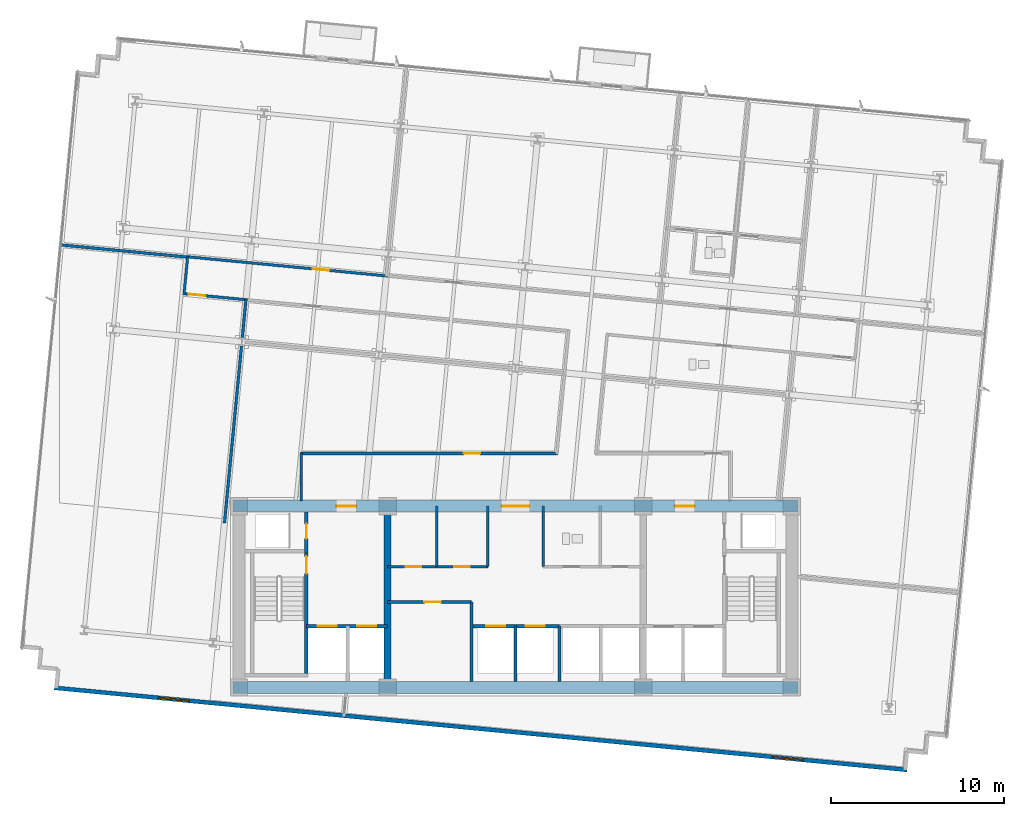
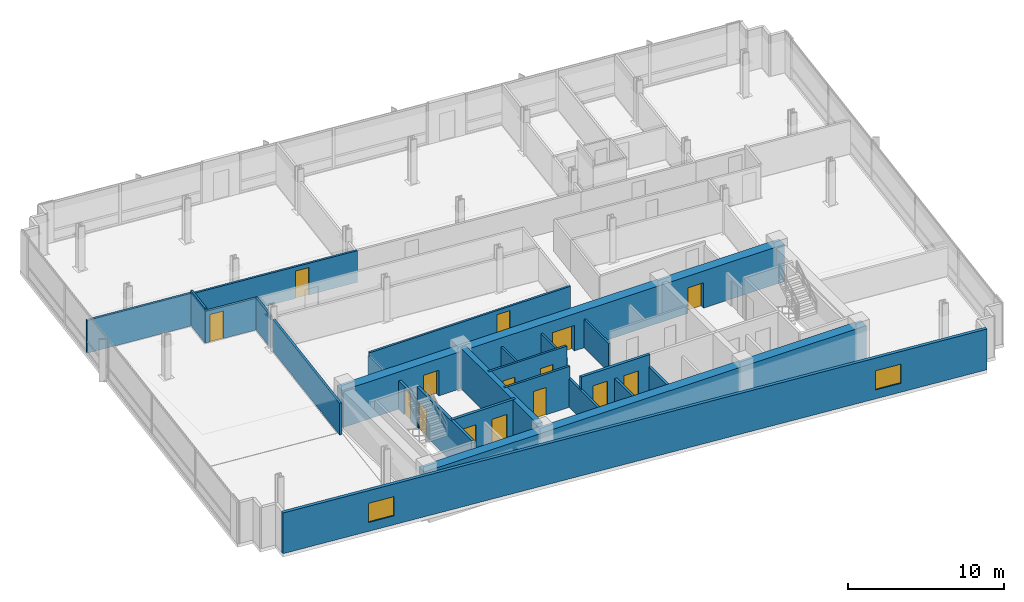
# One storey, part 10 of 16: 24 walls, 15 doors, 2 windows, 17 openings.
"""IFC4 building model written with IfcOpenShell, lengths in metres."""

import ifcopenshell
import ifcopenshell.guid

model = None  # the IFC model being written
_history = None  # IfcOwnerHistory: only IFC2X3 demands one
_inside = {}  # id of a spatial element -> (the spatial element, [elements in it])
_under = {}  # id of a project, library or spatial element -> (it, [spatial elements below it])
_declared = {}  # id of a project -> (the project, [libraries it declares])
_typed = {}  # id of a type object -> (the type object, [elements of that type])
_made_of = {}  # id of a material, layer set ... -> (it, [elements and type objects made of it])


def new_model(schema):
    """Start an empty IFC model of exactly this schema.

    Asked for "IFC4X3", IfcOpenShell would pick the latest addendum, in which some entities
    have other attributes; the version numbers below select the first issue.
    IFC2X3 requires an IfcOwnerHistory on every rooted entity: one is made here for all.
    """
    global model, _history
    if schema == "IFC4X3":
        model = ifcopenshell.file(schema_version=(4, 3, 0, 0))
    else:
        model = ifcopenshell.file(schema=schema)
    _inside.clear()
    _under.clear()
    _declared.clear()
    _typed.clear()
    _made_of.clear()
    _history = None
    if model.schema == "IFC2X3":
        org = make("IfcOrganization", Name="unknown")
        user = make(
            "IfcPersonAndOrganization",
            ThePerson=make("IfcPerson", FamilyName="unknown"),
            TheOrganization=org,
        )
        app = make(
            "IfcApplication",
            ApplicationDeveloper=org,
            Version="unknown",
            ApplicationFullName="unknown",
            ApplicationIdentifier="unknown",
        )
        _history = make(
            "IfcOwnerHistory",
            OwningUser=user,
            OwningApplication=app,
            ChangeAction="ADDED",
            CreationDate=0,
        )
    return model


def make(cls, **values):
    """One entity of the class cls with the attributes given. An attribute that is None is left unset."""
    return model.create_entity(
        cls, **{name: value for name, value in values.items() if value is not None}
    )


def rooted(cls, **values):
    """An entity with a GlobalId (a new one), such as an element, a storey or a relation."""
    return make(cls, GlobalId=ifcopenshell.guid.new(), OwnerHistory=_history, **values)


def si_unit(unit_type, name, prefix=None):
    """IfcSIUnit, for example si_unit("LENGTHUNIT", "METRE", prefix="MILLI")."""
    return make("IfcSIUnit", UnitType=unit_type, Prefix=prefix, Name=name)


def assignment(units):
    """IfcUnitAssignment: the units of a project."""
    return None if units is None else make("IfcUnitAssignment", Units=units)


def point(xyz):
    """IfcCartesianPoint."""
    return None if xyz is None else make("IfcCartesianPoint", Coordinates=xyz)


def direction(xyz):
    """IfcDirection."""
    return None if xyz is None else make("IfcDirection", DirectionRatios=xyz)


def frame(location, z_axis=None, x_axis=None):
    """IfcAxis2Placement3D, a coordinate frame: its origin and axes. An axis left out is left unset."""
    return make(
        "IfcAxis2Placement3D",
        Location=point(location),
        Axis=direction(z_axis),
        RefDirection=direction(x_axis),
    )


def frame_2d(location, x_axis=None):
    """IfcAxis2Placement2D, a coordinate frame in the plane: its origin and x axis."""
    return make(
        "IfcAxis2Placement2D", Location=point(location), RefDirection=direction(x_axis)
    )


def origin():
    """The frame at (0, 0, 0) with its axes left unset."""
    return frame((0.0, 0.0, 0.0))


def place(relative_to, where):
    """IfcLocalPlacement: puts the frame where relative to a parent placement (None: the world)."""
    return make(
        "IfcLocalPlacement", PlacementRelTo=relative_to, RelativePlacement=where
    )


def context(
    kind, dimensions, precision=None, world=None, true_north=None, identifier=None
):
    """IfcGeometricRepresentationContext, for example the 3D "Model" context."""
    return make(
        "IfcGeometricRepresentationContext",
        ContextIdentifier=identifier,
        ContextType=kind,
        CoordinateSpaceDimension=dimensions,
        Precision=precision,
        WorldCoordinateSystem=world,
        TrueNorth=true_north,
    )


def subcontext(parent, identifier, kind, view, scale=None):
    """IfcGeometricRepresentationSubContext, for example "Body" below "Model"."""
    return make(
        "IfcGeometricRepresentationSubContext",
        ContextIdentifier=identifier,
        ContextType=kind,
        ParentContext=parent,
        TargetScale=scale,
        TargetView=view,
    )


def project(units=None, contexts=None):
    """IfcProject with its units and contexts."""
    return rooted(
        "IfcProject",
        Name="project",
        RepresentationContexts=contexts,
        UnitsInContext=assignment(units),
    )


def spatial(cls, under=None, at=None, **own):
    """A site, building, storey or space (cls), placed at a placement, below another one or the project."""
    s = rooted(cls, ObjectPlacement=at, **own)
    if under is not None:
        _under.setdefault(under.id(), (under, []))[1].append(s)
    return s


def profile(cls, at=None, kind="AREA", **sizes):
    """A parametric profile (cls). Its sizes go by their IFC names, for example OverallWidth=200.0."""
    return make(cls, ProfileType=kind, Position=at, **sizes)


def rectangle(**sizes):
    """IfcRectangleProfileDef."""
    return profile("IfcRectangleProfileDef", **sizes)


def extrude(swept, where, along, depth):
    """IfcExtrudedAreaSolid: the profile swept, set in the frame where, extruded along a direction by depth."""
    return make(
        "IfcExtrudedAreaSolid",
        SweptArea=swept,
        Position=where,
        ExtrudedDirection=direction(along),
        Depth=depth,
    )


def shape(context_of_items, identifier, shape_type, items):
    """IfcShapeRepresentation: the items that make up one representation, for example the "Body"."""
    return make(
        "IfcShapeRepresentation",
        ContextOfItems=context_of_items,
        RepresentationIdentifier=identifier,
        RepresentationType=shape_type,
        Items=items,
    )


def material(Name=None, Category=None):
    """IfcMaterial."""
    return make("IfcMaterial", Name=Name, Category=Category)


def layer(
    of_material, thickness, ventilated=None, Name=None, Category=None, Priority=None
):
    """IfcMaterialLayer: one layer of a wall or slab, of a material (None: an air gap)."""
    return make(
        "IfcMaterialLayer",
        Material=of_material,
        LayerThickness=thickness,
        IsVentilated=ventilated,
        Name=Name,
        Category=Category,
        Priority=Priority,
    )


def layer_set(layers, Name=None):
    """IfcMaterialLayerSet."""
    return make("IfcMaterialLayerSet", MaterialLayers=layers, LayerSetName=Name)


def made_of(thing, what):
    """Note that an element or type object is made of a material, layer set ...; save() writes the relation."""
    if what is not None:
        _made_of.setdefault(what.id(), (what, []))[1].append(thing)
    return thing


def type_object(cls, material=None, **own):
    """A type object (cls), such as IfcWallType, which elements share."""
    return made_of(rooted(cls, **own), material)


def element(
    cls,
    number,
    at=None,
    inside=None,
    cuts=None,
    type_object=None,
    material=None,
    context=None,
    identifier="Body",
    shape_type=None,
    held_by="IfcProductDefinitionShape",
    body=None,
    shapes=None,
    **own,
):
    """One element of the class cls, such as IfcWall. Its Tag is "e" and its number.

    at: its placement. inside: the storey or other place that contains it. cuts: it is an
    opening in that element (IfcRelVoidsElement). A single representation is given by context,
    identifier, shape_type and body (its items); several are given by shapes. held_by: the class
    of the entity that holds the representations. save() writes the other relations.
    """
    e = rooted(cls, Tag="e%d" % number, ObjectPlacement=at, **own)
    if body is not None:
        shapes = [shape(context, identifier, shape_type, body)]
    if shapes is not None:
        e.Representation = make(held_by, Representations=shapes)
    if inside is not None:
        _inside.setdefault(inside.id(), (inside, []))[1].append(e)
    if cuts is not None:
        rooted(
            "IfcRelVoidsElement", RelatingBuildingElement=cuts, RelatedOpeningElement=e
        )
    if type_object is not None:
        _typed.setdefault(type_object.id(), (type_object, []))[1].append(e)
    return made_of(e, material)


def fill(opening, filler):
    """IfcRelFillsElement: the door or window that sits in an opening."""
    return rooted(
        "IfcRelFillsElement",
        RelatingOpeningElement=opening,
        RelatedBuildingElement=filler,
    )


def aggregate(whole, parts):
    """IfcRelAggregates: a whole, such as a stair, and the parts it consists of."""
    return rooted("IfcRelAggregates", RelatingObject=whole, RelatedObjects=parts)


def save(model, path):
    """Write the relations noted so far, then the file.

    IfcRelAggregates (storeys below a building ...), IfcRelContainedInSpatialStructure (elements
    in a storey), IfcRelDefinesByType, IfcRelAssociatesMaterial and IfcRelDeclares: one each for
    every whole, place, type object, material and project.
    """
    for whole, parts in _under.values():
        aggregate(whole, parts)
    for where, things in _inside.values():
        rooted(
            "IfcRelContainedInSpatialStructure",
            RelatedElements=things,
            RelatingStructure=where,
        )
    for kind, things in _typed.values():
        rooted("IfcRelDefinesByType", RelatedObjects=things, RelatingType=kind)
    for what, things in _made_of.values():
        rooted("IfcRelAssociatesMaterial", RelatedObjects=things, RelatingMaterial=what)
    for by, libraries in _declared.values():
        rooted("IfcRelDeclares", RelatingContext=by, RelatedDefinitions=libraries)
    model.write(path)


model = new_model("IFC4")

# Units and contexts
model_context = context("Model", 3, precision=1e-05, world=origin(), true_north=direction((0.0, 1.0)))
body_context = subcontext(model_context, "Body", "Model", "MODEL_VIEW")
ifc_project = project(units=[si_unit("LENGTHUNIT", "METRE"), si_unit("AREAUNIT", "SQUARE_METRE"), si_unit("VOLUMEUNIT", "CUBIC_METRE"), si_unit("PLANEANGLEUNIT", "RADIAN"), si_unit("MASSUNIT", "GRAM", prefix="KILO")], contexts=[model_context])

# Site, building, storey
site_placement = place(None, origin())
site = spatial("IfcSite", under=ifc_project, at=site_placement, CompositionType="ELEMENT")
building_placement = place(site_placement, origin())
building = spatial("IfcBuilding", under=site, at=building_placement, Name="Solmavex Isthmus Hotel", CompositionType="ELEMENT")
storey_placement = place(building_placement, frame((0.0, 0.0, 166.949951171875)))
storey = spatial("IfcBuildingStorey", under=building, at=storey_placement, Name="L45", CompositionType="ELEMENT", Elevation=166.949951171875)

# Wall, openings, windows
ifc_material_1 = material(Name="Precast Concrete C40/50", Category="concrete")
ifc_layer_1 = layer(ifc_material_1, 0.25)
ifc_layer_set_1 = layer_set([ifc_layer_1], Name="Precast Concrete C40/50")
wall_type_1 = type_object("IfcWallType", Name="EW-TWR-250", PredefinedType="STANDARD", material=ifc_layer_set_1)
wall_1_placement = place(storey_placement, frame((-26.6953125, -13.01611328125, 0.0), z_axis=(0.0, 0.0, 1.0), x_axis=(0.995396268366, -0.095845025554, 0.0)))
wall_1 = element("IfcWall", 1, at=wall_1_placement, inside=storey, type_object=wall_type_1, Name="Tower Rear South Facade Wall L45", PredefinedType="STANDARD", context=body_context, shape_type="SweptSolid", body=[
    extrude(rectangle(XDim=49.599853515625, YDim=0.239990234375, at=frame_2d((24.7998046875, 0.0))), origin(), (0.0, 0.0, 1.0), 3.18994140625),
])
opening_1_placement = place(wall_1_placement, frame((6.0439453125, 0.0, 0.699951171875)))
opening_1 = element("IfcOpeningElement", 2, at=opening_1_placement, cuts=wall_1, Name="Opening WN-02", PredefinedType="OPENING", context=body_context, shape_type="SweptSolid", body=[
    extrude(rectangle(XDim=1.800048828125, YDim=1.5, at=frame_2d((0.89990234375, 0.75))), frame((0.0, 0.1298828125, 0.0), z_axis=(0.0, -1.0, 0.0), x_axis=(1.0, 0.0, 0.0)), (0.0, 0.0, 1.0), 0.260009765625),
])
opening_2_placement = place(wall_1_placement, frame((41.756103515625, 0.0, 0.699951171875)))
opening_2 = element("IfcOpeningElement", 3, at=opening_2_placement, cuts=wall_1, Name="Opening WN-02", PredefinedType="OPENING", context=body_context, shape_type="SweptSolid", body=[
    extrude(rectangle(XDim=1.800048828125, YDim=1.5, at=frame_2d((0.89990234375, 0.75))), frame((0.0, 0.1298828125, 0.0), z_axis=(0.0, -1.0, 0.0), x_axis=(1.0, 0.0, 0.0)), (0.0, 0.0, 1.0), 0.260009765625),
])
ifc_material_2 = material(Name="Clear low-E laminated glass", Category="glass")
window_type = type_object("IfcWindowType", Name="WIN-TWR-1800", PartitioningType="SINGLE_PANEL", PredefinedType="WINDOW", material=ifc_material_2)
window_1_placement = place(opening_1_placement, origin())
window_1 = element("IfcWindow", 4, at=window_1_placement, inside=storey, type_object=window_type, Name="South Facade Vision Window L45-S1", OverallHeight=1.5, OverallWidth=1.800048828125, PartitioningType="SINGLE_PANEL", PredefinedType="WINDOW", context=body_context, shape_type="SweptSolid", body=[
    extrude(rectangle(XDim=1.800048828125, YDim=1.5, at=frame_2d((0.89990234375, 0.75))), frame((0.0, 0.030029296875, 0.0), z_axis=(0.0, -1.0, 0.0), x_axis=(1.0, 0.0, 0.0)), (0.0, 0.0, 1.0), 0.06005859375),
])
fill(opening_1, window_1)
window_2_placement = place(opening_2_placement, origin())
window_2 = element("IfcWindow", 5, at=window_2_placement, inside=storey, type_object=window_type, Name="South Facade Vision Window L45-S2", OverallHeight=1.5, OverallWidth=1.800048828125, PartitioningType="SINGLE_PANEL", PredefinedType="WINDOW", context=body_context, shape_type="SweptSolid", body=[
    extrude(rectangle(XDim=1.800048828125, YDim=1.5, at=frame_2d((0.89990234375, 0.75))), frame((0.0, 0.030029296875, 0.0), z_axis=(0.0, -1.0, 0.0), x_axis=(1.0, 0.0, 0.0)), (0.0, 0.0, 1.0), 0.06005859375),
])
fill(opening_2, window_2)

# Wall, opening, door
ifc_material_3 = material(Name="Gypsum plasterboard lining", Category="gypsum")
ifc_layer_2 = layer(ifc_material_3, 0.159912109375)
ifc_layer_set_2 = layer_set([ifc_layer_2], Name="Gypsum plasterboard lining")
wall_type_2 = type_object("IfcWallType", Name="IW-COMP-160", PredefinedType="PARTITIONING", material=ifc_layer_set_2)
wall_2_placement = place(storey_placement, frame((-7.39990234375, -8.050048828125, 0.0), z_axis=(0.0, 0.0, 1.0), x_axis=(1.0, 0.0, 0.0)))
wall_2 = element("IfcWall", 6, at=wall_2_placement, inside=storey, type_object=wall_type_2, Name="Interior Partition Wall W-L45-REC-PLL-N", PredefinedType="PARTITIONING", context=body_context, shape_type="SweptSolid", body=[
    extrude(rectangle(XDim=4.849853515625, YDim=0.159912109375, at=frame_2d((2.4248046875, 0.0))), origin(), (0.0, 0.0, 1.0), 3.18994140625),
])
opening_3_placement = place(wall_2_placement, frame((2.125, 0.0, 0.0)))
opening_3 = element("IfcOpeningElement", 7, at=opening_3_placement, cuts=wall_2, Name="Opening ID-C095", PredefinedType="OPENING", context=body_context, shape_type="SweptSolid", body=[
    extrude(rectangle(XDim=0.949951171875, YDim=2.14990234375, at=frame_2d((0.47509765625, 1.074951171875))), frame((0.0, 0.08984375, 0.0), z_axis=(0.0, -1.0, 0.0), x_axis=(1.0, 0.0, 0.0)), (0.0, 0.0, 1.0), 0.179931640625),
])
ifc_material_4 = material(Name="Hardwood timber", Category="wood")
door_type_1 = type_object("IfcDoorType", Name="IDR-FD60-0950", OperationType="NOTDEFINED", PredefinedType="DOOR", material=ifc_material_4)
door_1_placement = place(opening_3_placement, origin())
door_1 = element("IfcDoor", 8, at=door_1_placement, inside=storey, type_object=door_type_1, Name="Linen Reserve Door L45", OperationType="SINGLE_SWING_LEFT", OverallHeight=2.14990234375, OverallWidth=0.949951171875, PredefinedType="DOOR", context=body_context, shape_type="SweptSolid", body=[
    extrude(rectangle(XDim=0.949951171875, YDim=2.14990234375, at=frame_2d((0.47509765625, 1.074951171875))), frame((0.0, 0.02490234375, 0.0), z_axis=(0.0, -1.0, 0.0), x_axis=(1.0, 0.0, 0.0)), (0.0, 0.0, 1.0), 0.050048828125),
])
fill(opening_3, door_1)

# Walls
wall_3_placement = place(storey_placement, frame((-2.550048828125, -12.64990234375, 0.0), z_axis=(0.0, 0.0, 1.0), x_axis=(0.0, 1.0, 0.0)))
element("IfcWall", 9, at=wall_3_placement, inside=storey, type_object=wall_type_2, Name="Interior Partition Wall W-L45-REC-PLL-E", PredefinedType="PARTITIONING", context=body_context, shape_type="SweptSolid", body=[
    extrude(rectangle(XDim=4.599853515625, YDim=0.159912109375, at=frame_2d((2.2998046875, 0.0))), origin(), (0.0, 0.0, 1.0), 2.22509765625),
])
wall_4_placement = place(storey_placement, frame((-18.942138671875, 11.91552734375, 0.0), z_axis=(0.0, 0.0, 1.0), x_axis=(-0.995395927026, 0.095848570461, 0.0)))
element("IfcWall", 10, at=wall_4_placement, inside=storey, type_object=wall_type_2, Name="Interior Partition Wall W-L45-P022", PredefinedType="PARTITIONING", context=body_context, shape_type="SweptSolid", body=[
    extrude(rectangle(XDim=7.44775390625, YDim=0.159912109375, at=frame_2d((3.723876953125, 0.0))), origin(), (0.0, 0.0, 1.0), 2.5576171875),
])
wall_5_placement = place(storey_placement, frame((-15.820556640625, 7.190673828125, 0.0), z_axis=(0.0, 0.0, 1.0), x_axis=(0.09580488871, 0.995400132258, 0.0)))
element("IfcWall", 11, at=wall_5_placement, inside=storey, type_object=wall_type_2, Name="Interior Partition Wall W-L45-P045", PredefinedType="PARTITIONING", context=body_context, shape_type="SweptSolid", body=[
    extrude(rectangle(XDim=2.31396484375, YDim=0.159912109375, at=frame_2d((1.156982421875, 0.0))), origin(), (0.0, 0.0, 1.0), 2.4794921875),
])
wall_6_placement = place(storey_placement, frame((-16.846923828125, -3.468017578125, 0.0), z_axis=(0.0, 0.0, 1.0), x_axis=(0.095854804219, 0.995395326746, 0.0)))
element("IfcWall", 12, at=wall_6_placement, inside=storey, type_object=wall_type_2, Name="Interior Partition Wall W-L45-P047", PredefinedType="PARTITIONING", context=body_context, shape_type="SweptSolid", body=[
    extrude(rectangle(XDim=10.35595703125, YDim=0.159912109375, at=frame_2d((5.177978515625, 0.0))), origin(), (0.0, 0.0, 1.0), 2.4794921875),
])

# Wall, openings, doors
ifc_layer_3 = layer(ifc_material_3, 0.14990234375)
ifc_layer_set_3 = layer_set([ifc_layer_3], Name="Gypsum plasterboard lining")
wall_type_3 = type_object("IfcWallType", Name="IW-CORR-150", PredefinedType="PARTITIONING", material=ifc_layer_set_3)
wall_7_placement = place(storey_placement, frame((-7.39990234375, -6.0, 0.0), z_axis=(0.0, 0.0, 1.0), x_axis=(1.0, 0.0, 0.0)))
wall_7 = element("IfcWall", 13, at=wall_7_placement, inside=storey, type_object=wall_type_3, Name="Interior Partition Wall W-L45-BOH-WS", PredefinedType="PARTITIONING", context=body_context, shape_type="SweptSolid", body=[
    extrude(rectangle(XDim=5.7998046875, YDim=0.14990234375, at=frame_2d((2.89990234375, 0.0))), origin(), (0.0, 0.0, 1.0), 3.18994140625),
])
opening_4_placement = place(wall_7_placement, frame((1.050048828125, 0.0, 0.0)))
opening_4 = element("IfcOpeningElement", 14, at=opening_4_placement, cuts=wall_7, Name="Opening ID-C090", PredefinedType="OPENING", context=body_context, shape_type="SweptSolid", body=[
    extrude(rectangle(XDim=0.89990234375, YDim=2.10009765625, at=frame_2d((0.449951171875, 1.050048828125))), frame((0.0, 0.0849609375, 0.0), z_axis=(0.0, -1.0, 0.0), x_axis=(1.0, 0.0, 0.0)), (0.0, 0.0, 1.0), 0.169921875),
])
opening_5_placement = place(wall_7_placement, frame((3.85009765625, 0.0, 0.0)))
opening_5 = element("IfcOpeningElement", 15, at=opening_5_placement, cuts=wall_7, Name="Opening ID-C090", PredefinedType="OPENING", context=body_context, shape_type="SweptSolid", body=[
    extrude(rectangle(XDim=0.89990234375, YDim=2.10009765625, at=frame_2d((0.449951171875, 1.050048828125))), frame((0.0, 0.0849609375, 0.0), z_axis=(0.0, -1.0, 0.0), x_axis=(1.0, 0.0, 0.0)), (0.0, 0.0, 1.0), 0.169921875),
])
door_type_2 = type_object("IfcDoorType", Name="IDR-FD60-0900", OperationType="NOTDEFINED", PredefinedType="DOOR", material=ifc_material_4)
door_2_placement = place(opening_4_placement, frame((0.89990234375, 0.0, 0.0), z_axis=(0.0, 0.0, 1.0), x_axis=(-1.0, 0.0, 0.0)))
door_2 = element("IfcDoor", 16, at=door_2_placement, inside=storey, type_object=door_type_2, Name="Linen Room Door L45", OperationType="SINGLE_SWING_LEFT", OverallHeight=2.10009765625, OverallWidth=0.89990234375, PredefinedType="DOOR", context=body_context, shape_type="SweptSolid", body=[
    extrude(rectangle(XDim=0.89990234375, YDim=2.10009765625, at=frame_2d((0.449951171875, 1.050048828125))), frame((0.0, 0.02490234375, 0.0), z_axis=(0.0, -1.0, 0.0), x_axis=(1.0, 0.0, 0.0)), (0.0, 0.0, 1.0), 0.050048828125),
])
fill(opening_4, door_2)
door_3_placement = place(opening_5_placement, frame((0.89990234375, 0.0, 0.0), z_axis=(0.0, 0.0, 1.0), x_axis=(-1.0, 0.0, 0.0)))
door_3 = element("IfcDoor", 17, at=door_3_placement, inside=storey, type_object=door_type_2, Name="Ice Pantry Door L45", OperationType="SINGLE_SWING_RIGHT", OverallHeight=2.10009765625, OverallWidth=0.89990234375, PredefinedType="DOOR", context=body_context, shape_type="SweptSolid", body=[
    extrude(rectangle(XDim=0.89990234375, YDim=2.10009765625, at=frame_2d((0.449951171875, 1.050048828125))), frame((0.0, 0.02490234375, 0.0), z_axis=(0.0, -1.0, 0.0), x_axis=(1.0, 0.0, 0.0)), (0.0, 0.0, 1.0), 0.050048828125),
])
fill(opening_5, door_3)

# Walls
for number, where, z_axis, x_axis, name in (
    (18, (-1.60009765625, -6.0, 0.0), (0.0, 0.0, 1.0), (0.0, 1.0, 0.0), "Interior Partition Wall W-L45-BOH-WE"),
    (19, (1.60009765625, -6.0, 0.0), (0.0, 0.0, 1.0), (0.0, 1.0, 0.0), "Interior Partition Wall W-L45-BOH-EW"),
):
    element("IfcWall", number, at=place(storey_placement, frame(where, z_axis=z_axis, x_axis=x_axis)), inside=storey, type_object=wall_type_3, Name=name, PredefinedType="PARTITIONING", context=body_context, shape_type="SweptSolid", body=[
        extrude(rectangle(XDim=3.5, YDim=0.14990234375, at=frame_2d((1.75, 0.0))), origin(), (0.0, 0.0, 1.0), 2.22509765625),
    ])

# Wall, opening, door
wall_8_placement = place(storey_placement, frame((-19.019775390625, 11.943115234375, 0.0), z_axis=(0.0, 0.0, 1.0), x_axis=(0.995395421372, -0.095853821582, 0.0)))
wall_8 = element("IfcWall", 20, at=wall_8_placement, inside=storey, type_object=wall_type_3, Name="Interior Partition Wall W-L45-P001", PredefinedType="PARTITIONING", context=body_context, shape_type="SweptSolid", body=[
    extrude(rectangle(XDim=11.677978515625, YDim=0.14990234375, at=frame_2d((5.8388671875, 0.0))), origin(), (0.0, 0.0, 1.0), 2.4794921875),
])
opening_6_placement = place(wall_8_placement, frame((7.3125, 0.0, 0.0)))
opening_6 = element("IfcOpeningElement", 21, at=opening_6_placement, cuts=wall_8, Name="Opening ID-C095", PredefinedType="OPENING", context=body_context, shape_type="SweptSolid", body=[
    extrude(rectangle(XDim=0.949951171875, YDim=2.14990234375, at=frame_2d((0.47509765625, 1.074951171875))), frame((0.0, 0.0849609375, 0.0), z_axis=(0.0, -1.0, 0.0), x_axis=(1.0, 0.0, 0.0)), (0.0, 0.0, 1.0), 0.169921875),
])
door_4_placement = place(opening_6_placement, frame((0.949951171875, 0.0, 0.0), z_axis=(0.0, 0.0, 1.0), x_axis=(-1.0, 0.0, 0.0)))
door_4 = element("IfcDoor", 22, at=door_4_placement, inside=storey, type_object=door_type_1, Name="Corporate Briefing Office Door L45-01", OperationType="SINGLE_SWING_LEFT", OverallHeight=2.14990234375, OverallWidth=0.949951171875, PredefinedType="DOOR", context=body_context, shape_type="SweptSolid", body=[
    extrude(rectangle(XDim=0.949951171875, YDim=2.14990234375, at=frame_2d((0.47509765625, 1.074951171875))), frame((0.0, 0.02490234375, 0.0), z_axis=(0.0, -1.0, 0.0), x_axis=(1.0, 0.0, 0.0)), (0.0, 0.0, 1.0), 0.050048828125),
])
fill(opening_6, door_4)

# Wall
wall_9_placement = place(storey_placement, frame((-12.39990234375, -2.18994140625, 0.0), z_axis=(0.0, 0.0, 1.0), x_axis=(0.0, 1.0, 0.0)))
element("IfcWall", 23, at=wall_9_placement, inside=storey, type_object=wall_type_3, Name="Interior Partition Wall W-L45-P012", PredefinedType="PARTITIONING", context=body_context, shape_type="SweptSolid", body=[
    extrude(rectangle(XDim=2.780029296875, YDim=0.14990234375, at=frame_2d((1.39013671875, 0.0))), origin(), (0.0, 0.0, 1.0), 2.22509765625),
])

# Wall, opening, door
wall_10_placement = place(storey_placement, frame((-12.43994140625, 0.550048828125, 0.0), z_axis=(0.0, 0.0, 1.0), x_axis=(1.0, 0.0, 0.0)))
wall_10 = element("IfcWall", 24, at=wall_10_placement, inside=storey, type_object=wall_type_3, Name="Interior Partition Wall W-L45-P013", PredefinedType="PARTITIONING", context=body_context, shape_type="SweptSolid", body=[
    extrude(rectangle(XDim=14.876708984375, YDim=0.14990234375, at=frame_2d((7.4384765625, 0.0))), origin(), (0.0, 0.0, 1.0), 2.4794921875),
])
opening_7_placement = place(wall_10_placement, frame((9.44921875, 0.0, 0.0)))
opening_7 = element("IfcOpeningElement", 25, at=opening_7_placement, cuts=wall_10, Name="Opening ID-C095", PredefinedType="OPENING", context=body_context, shape_type="SweptSolid", body=[
    extrude(rectangle(XDim=0.949951171875, YDim=2.14990234375, at=frame_2d((0.47509765625, 1.074951171875))), frame((0.0, 0.0849609375, 0.0), z_axis=(0.0, -1.0, 0.0), x_axis=(1.0, 0.0, 0.0)), (0.0, 0.0, 1.0), 0.169921875),
])
door_5_placement = place(opening_7_placement, frame((0.949951171875, 0.0, 0.0), z_axis=(0.0, 0.0, 1.0), x_axis=(-1.0, 0.0, 0.0)))
door_5 = element("IfcDoor", 26, at=door_5_placement, inside=storey, type_object=door_type_1, Name="Private Dining Room Door L45-11", OperationType="SINGLE_SWING_LEFT", OverallHeight=2.14990234375, OverallWidth=0.949951171875, PredefinedType="DOOR", context=body_context, shape_type="SweptSolid", body=[
    extrude(rectangle(XDim=0.949951171875, YDim=2.14990234375, at=frame_2d((0.47509765625, 1.074951171875))), frame((0.0, 0.02490234375, 0.0), z_axis=(0.0, -1.0, 0.0), x_axis=(1.0, 0.0, 0.0)), (0.0, 0.0, 1.0), 0.050048828125),
])
fill(opening_7, door_5)

wall_11_placement = place(storey_placement, frame((-15.52099609375, 9.4462890625, 0.0), z_axis=(0.0, 0.0, 1.0), x_axis=(-0.995397364202, 0.095833644092, 0.0)))
wall_11 = element("IfcWall", 27, at=wall_11_placement, inside=storey, type_object=wall_type_3, Name="Interior Partition Wall W-L45-P017", PredefinedType="PARTITIONING", context=body_context, shape_type="SweptSolid", body=[
    extrude(rectangle(XDim=3.721923828125, YDim=0.14990234375, at=frame_2d((1.86083984375, 0.0))), origin(), (0.0, 0.0, 1.0), 2.4794921875),
])
opening_8_placement = place(wall_11_placement, frame((2.456787109375, 0.0, 0.0)))
opening_8 = element("IfcOpeningElement", 28, at=opening_8_placement, cuts=wall_11, Name="Opening ID-C095", PredefinedType="OPENING", context=body_context, shape_type="SweptSolid", body=[
    extrude(rectangle(XDim=0.949951171875, YDim=2.14990234375, at=frame_2d((0.47509765625, 1.074951171875))), frame((0.0, 0.0849609375, 0.0), z_axis=(0.0, -1.0, 0.0), x_axis=(1.0, 0.0, 0.0)), (0.0, 0.0, 1.0), 0.169921875),
])
door_6_placement = place(opening_8_placement, frame((0.949951171875, 0.0, 0.0), z_axis=(0.0, 0.0, 1.0), x_axis=(-1.0, 0.0, 0.0)))
door_6 = element("IfcDoor", 29, at=door_6_placement, inside=storey, type_object=door_type_1, Name="Corporate Briefing Office Door L45-13", OperationType="SINGLE_SWING_LEFT", OverallHeight=2.14990234375, OverallWidth=0.949951171875, PredefinedType="DOOR", context=body_context, shape_type="SweptSolid", body=[
    extrude(rectangle(XDim=0.949951171875, YDim=2.14990234375, at=frame_2d((0.47509765625, 1.074951171875))), frame((0.0, 0.02490234375, 0.0), z_axis=(0.0, -1.0, 0.0), x_axis=(1.0, 0.0, 0.0)), (0.0, 0.0, 1.0), 0.050048828125),
])
fill(opening_8, door_6)

# Walls
wall_12_placement = place(storey_placement, frame((-19.18994140625, 9.75927734375, 0.0), z_axis=(0.0, 0.0, 1.0), x_axis=(0.095882898123, 0.995392620953, 0.0)))
element("IfcWall", 30, at=wall_12_placement, inside=storey, type_object=wall_type_3, Name="Interior Partition Wall W-L45-P018", PredefinedType="PARTITIONING", context=body_context, shape_type="SweptSolid", body=[
    extrude(rectangle(XDim=2.210205078125, YDim=0.14990234375, at=frame_2d((1.10498046875, 0.0))), origin(), (0.0, 0.0, 1.0), 2.71826171875),
])
ifc_layer_4 = layer(ifc_material_3, 0.1201171875)
ifc_layer_set_4 = layer_set([ifc_layer_4], Name="Gypsum plasterboard lining")
wall_type_4 = type_object("IfcWallType", Name="IW-PART-120", PredefinedType="PARTITIONING", material=ifc_layer_set_4)
wall_13_placement = place(storey_placement, frame((-4.550048828125, -6.0, 0.0), z_axis=(0.0, 0.0, 1.0), x_axis=(0.0, 1.0, 0.0)))
element("IfcWall", 31, at=wall_13_placement, inside=storey, type_object=wall_type_4, Name="Interior Partition Wall W-L45-BOH-WM2", PredefinedType="PARTITIONING", context=body_context, shape_type="SweptSolid", body=[
    extrude(rectangle(XDim=3.5, YDim=0.14990234375, at=frame_2d((1.75, 0.0))), origin(), (0.0, 0.0, 1.0), 2.22509765625),
])
ifc_material_5 = material(Name="Concrete C40/50", Category="concrete")
ifc_layer_5 = layer(ifc_material_5, 0.179931640625)
ifc_layer_set_5 = layer_set([ifc_layer_5], Name="Concrete C40/50")
wall_type_5 = type_object("IfcWallType", Name="IW-SHAFT-180", PredefinedType="PARTITIONING", material=ifc_layer_set_5)
wall_14_placement = place(storey_placement, frame((0.0, -12.64990234375, 0.0), z_axis=(0.0, 0.0, 1.0), x_axis=(0.0, 1.0, 0.0)))
element("IfcWall", 32, at=wall_14_placement, inside=storey, type_object=wall_type_5, Name="Interior Partition Wall W-L45-SH-PLM-M", PredefinedType="PARTITIONING", context=body_context, shape_type="SweptSolid", body=[
    extrude(rectangle(XDim=3.199951171875, YDim=0.179931640625, at=frame_2d((1.60009765625, 0.0))), origin(), (0.0, 0.0, 1.0), 2.22509765625),
])

# Wall, opening, door
ifc_layer_6 = layer(ifc_material_5, 0.199951171875)
ifc_layer_set_6 = layer_set([ifc_layer_6], Name="Concrete C40/50")
wall_type_6 = type_object("IfcWallType", Name="IW-SHAFT-200", PredefinedType="PARTITIONING", material=ifc_layer_set_6)
wall_15_placement = place(storey_placement, frame((-12.10009765625, -5.199951171875, 0.0), z_axis=(0.0, 0.0, 1.0), x_axis=(0.0, 1.0, 0.0)))
wall_15 = element("IfcWall", 33, at=wall_15_placement, inside=storey, type_object=wall_type_6, Name="Interior Partition Wall W-L45-RSW-E", PredefinedType="PARTITIONING", context=body_context, shape_type="SweptSolid", body=[
    extrude(rectangle(XDim=2.349853515625, YDim=0.199951171875, at=frame_2d((1.1748046875, 0.0))), origin(), (0.0, 0.0, 1.0), 2.22509765625),
])
opening_9_placement = place(wall_15_placement, frame((0.824951171875, 0.0, 0.0)))
opening_9 = element("IfcOpeningElement", 34, at=opening_9_placement, cuts=wall_15, Name="Opening ID-R085", PredefinedType="OPENING", context=body_context, shape_type="SweptSolid", body=[
    extrude(rectangle(XDim=0.85009765625, YDim=2.050048828125, at=frame_2d((0.425048828125, 1.02490234375))), frame((0.0, 0.10986328125, 0.0), z_axis=(0.0, -1.0, 0.0), x_axis=(1.0, 0.0, 0.0)), (0.0, 0.0, 1.0), 0.219970703125),
])
ifc_material_6 = material(Name="Steel ASTM A500 Grade C", Category="steel")
door_type_3 = type_object("IfcDoorType", Name="IDR-FD60-0850", OperationType="NOTDEFINED", PredefinedType="DOOR", material=ifc_material_6)
door_7_placement = place(opening_9_placement, origin())
door_7 = element("IfcDoor", 35, at=door_7_placement, inside=storey, type_object=door_type_3, Name="Electrical Riser Door L45", OperationType="SINGLE_SWING_RIGHT", OverallHeight=2.050048828125, OverallWidth=0.85009765625, PredefinedType="DOOR", context=body_context, shape_type="SweptSolid", body=[
    extrude(rectangle(XDim=0.85009765625, YDim=2.050048828125, at=frame_2d((0.425048828125, 1.02490234375))), frame((0.0, 0.02490234375, 0.0), z_axis=(0.0, -1.0, 0.0), x_axis=(1.0, 0.0, 0.0)), (0.0, 0.0, 1.0), 0.050048828125),
])
fill(opening_9, door_7)

# Wall, openings, doors
wall_16_placement = place(storey_placement, frame((-12.10009765625, -9.449951171875, 0.0), z_axis=(0.0, 0.0, 1.0), x_axis=(1.0, 0.0, 0.0)))
wall_16 = element("IfcWall", 36, at=wall_16_placement, inside=storey, type_object=wall_type_6, Name="Interior Partition Wall W-L45-FFLW-S", PredefinedType="PARTITIONING", context=body_context, shape_type="SweptSolid", body=[
    extrude(rectangle(XDim=4.7001953125, YDim=0.199951171875, at=frame_2d((2.35009765625, 0.0))), origin(), (0.0, 0.0, 1.0), 3.18994140625),
])
opening_10_placement = place(wall_16_placement, frame((0.64990234375, 0.0, 0.0)))
opening_10 = element("IfcOpeningElement", 37, at=opening_10_placement, cuts=wall_16, Name="Opening LD-FF", PredefinedType="OPENING", context=body_context, shape_type="SweptSolid", body=[
    extrude(rectangle(XDim=1.10009765625, YDim=2.199951171875, at=frame_2d((0.550048828125, 1.10009765625))), frame((0.0, 0.10986328125, 0.0), z_axis=(0.0, -1.0, 0.0), x_axis=(1.0, 0.0, 0.0)), (0.0, 0.0, 1.0), 0.219970703125),
])
opening_11_placement = place(wall_16_placement, frame((2.949951171875, 0.0, 0.0)))
opening_11 = element("IfcOpeningElement", 38, at=opening_11_placement, cuts=wall_16, Name="Opening LD-SV", PredefinedType="OPENING", context=body_context, shape_type="SweptSolid", body=[
    extrude(rectangle(XDim=1.10009765625, YDim=2.199951171875, at=frame_2d((0.550048828125, 1.10009765625))), frame((0.0, 0.10986328125, 0.0), z_axis=(0.0, -1.0, 0.0), x_axis=(1.0, 0.0, 0.0)), (0.0, 0.0, 1.0), 0.219970703125),
])
ifc_material_7 = material(Name="Stainless steel 316", Category="steel")
door_type_4 = type_object("IfcDoorType", Name="LDR-FF-1100", OperationType="NOTDEFINED", PredefinedType="DOOR", material=ifc_material_7)
door_8_placement = place(opening_10_placement, origin())
door_8 = element("IfcDoor", 39, at=door_8_placement, inside=storey, type_object=door_type_4, Name="Lift Landing Door FFL-1 L45", OperationType="SLIDING_TO_LEFT", OverallHeight=2.199951171875, OverallWidth=1.10009765625, PredefinedType="DOOR", context=body_context, shape_type="SweptSolid", body=[
    extrude(rectangle(XDim=1.10009765625, YDim=2.199951171875, at=frame_2d((0.550048828125, 1.10009765625))), frame((0.0, 0.02490234375, 0.0), z_axis=(0.0, -1.0, 0.0), x_axis=(1.0, 0.0, 0.0)), (0.0, 0.0, 1.0), 0.050048828125),
])
fill(opening_10, door_8)
door_type_5 = type_object("IfcDoorType", Name="LDR-SV-1100", OperationType="NOTDEFINED", PredefinedType="DOOR", material=ifc_material_7)
door_9_placement = place(opening_11_placement, origin())
door_9 = element("IfcDoor", 40, at=door_9_placement, inside=storey, type_object=door_type_5, Name="Lift Landing Door SVL-1 L45", OperationType="SLIDING_TO_RIGHT", OverallHeight=2.199951171875, OverallWidth=1.10009765625, PredefinedType="DOOR", context=body_context, shape_type="SweptSolid", body=[
    extrude(rectangle(XDim=1.10009765625, YDim=2.199951171875, at=frame_2d((0.550048828125, 1.10009765625))), frame((0.0, 0.02490234375, 0.0), z_axis=(0.0, -1.0, 0.0), x_axis=(1.0, 0.0, 0.0)), (0.0, 0.0, 1.0), 0.050048828125),
])
fill(opening_11, door_9)

wall_17_placement = place(storey_placement, frame((-2.550048828125, -9.449951171875, 0.0), z_axis=(0.0, 0.0, 1.0), x_axis=(1.0, 0.0, 0.0)))
wall_17 = element("IfcWall", 41, at=wall_17_placement, inside=storey, type_object=wall_type_6, Name="Interior Partition Wall W-L45-SH-PLM", PredefinedType="PARTITIONING", context=body_context, shape_type="SweptSolid", body=[
    extrude(rectangle(XDim=5.10009765625, YDim=0.199951171875, at=frame_2d((2.550048828125, 0.0))), origin(), (0.0, 0.0, 1.0), 3.18994140625),
])
opening_12_placement = place(wall_17_placement, frame((0.85009765625, 0.0, 0.0)))
opening_12 = element("IfcOpeningElement", 42, at=opening_12_placement, cuts=wall_17, Name="Opening LD-PL", PredefinedType="OPENING", context=body_context, shape_type="SweptSolid", body=[
    extrude(rectangle(XDim=1.10009765625, YDim=2.199951171875, at=frame_2d((0.550048828125, 1.10009765625))), frame((0.0, 0.10986328125, 0.0), z_axis=(0.0, -1.0, 0.0), x_axis=(1.0, 0.0, 0.0)), (0.0, 0.0, 1.0), 0.219970703125),
])
opening_13_placement = place(wall_17_placement, frame((3.14990234375, 0.0, 0.0)))
opening_13 = element("IfcOpeningElement", 43, at=opening_13_placement, cuts=wall_17, Name="Opening LD-PL", PredefinedType="OPENING", context=body_context, shape_type="SweptSolid", body=[
    extrude(rectangle(XDim=1.10009765625, YDim=2.199951171875, at=frame_2d((0.550048828125, 1.10009765625))), frame((0.0, 0.10986328125, 0.0), z_axis=(0.0, -1.0, 0.0), x_axis=(1.0, 0.0, 0.0)), (0.0, 0.0, 1.0), 0.219970703125),
])
door_type_6 = type_object("IfcDoorType", Name="LDR-PL-1100", OperationType="NOTDEFINED", PredefinedType="DOOR", material=ifc_material_7)
door_10_placement = place(opening_12_placement, origin())
door_10 = element("IfcDoor", 44, at=door_10_placement, inside=storey, type_object=door_type_6, Name="Lift Landing Door PLM1 L45", OperationType="SLIDING_TO_RIGHT", OverallHeight=2.199951171875, OverallWidth=1.10009765625, PredefinedType="DOOR", context=body_context, shape_type="SweptSolid", body=[
    extrude(rectangle(XDim=1.10009765625, YDim=2.199951171875, at=frame_2d((0.550048828125, 1.10009765625))), frame((0.0, 0.02490234375, 0.0), z_axis=(0.0, -1.0, 0.0), x_axis=(1.0, 0.0, 0.0)), (0.0, 0.0, 1.0), 0.050048828125),
])
fill(opening_12, door_10)
door_11_placement = place(opening_13_placement, origin())
door_11 = element("IfcDoor", 45, at=door_11_placement, inside=storey, type_object=door_type_6, Name="Lift Landing Door PLM2 L45", OperationType="SLIDING_TO_RIGHT", OverallHeight=2.199951171875, OverallWidth=1.10009765625, PredefinedType="DOOR", context=body_context, shape_type="SweptSolid", body=[
    extrude(rectangle(XDim=1.10009765625, YDim=2.199951171875, at=frame_2d((0.550048828125, 1.10009765625))), frame((0.0, 0.02490234375, 0.0), z_axis=(0.0, -1.0, 0.0), x_axis=(1.0, 0.0, 0.0)), (0.0, 0.0, 1.0), 0.050048828125),
])
fill(opening_13, door_11)

# Walls
wall_18_placement = place(storey_placement, frame((2.550048828125, -12.64990234375, 0.0), z_axis=(0.0, 0.0, 1.0), x_axis=(0.0, 1.0, 0.0)))
element("IfcWall", 46, at=wall_18_placement, inside=storey, type_object=wall_type_6, Name="Interior Partition Wall W-L45-SH-PLM-E", PredefinedType="PARTITIONING", context=body_context, shape_type="SweptSolid", body=[
    extrude(rectangle(XDim=3.199951171875, YDim=0.199951171875, at=frame_2d((1.60009765625, 0.0))), origin(), (0.0, 0.0, 1.0), 2.22509765625),
])
ifc_material_8 = material(Name="Concrete C60/75", Category="concrete")
ifc_layer_7 = layer(ifc_material_8, 0.39990234375)
ifc_layer_set_7 = layer_set([ifc_layer_7], Name="Concrete C60/75")
wall_type_7 = type_object("IfcWallType", Name="WALL-CW-400M", PredefinedType="SHEAR", material=ifc_layer_set_7)
wall_19_placement = place(storey_placement, frame((-7.39990234375, -12.64990234375, 0.0), z_axis=(0.0, 0.0, 1.0), x_axis=(0.0, 1.0, 0.0)))
element("IfcWall", 47, at=wall_19_placement, inside=storey, type_object=wall_type_7, Name="Core Cross Shear Wall C1 L45", PredefinedType="SHEAR", context=body_context, shape_type="SweptSolid", body=[
    extrude(rectangle(XDim=9.7998046875, YDim=0.39990234375, at=frame_2d((4.89990234375, 0.0))), origin(), (0.0, 0.0, 1.0), 3.18994140625),
])
ifc_layer_8 = layer(ifc_material_8, 0.699951171875)
ifc_layer_set_8 = layer_set([ifc_layer_8], Name="Concrete C60/75")
wall_type_8 = type_object("IfcWallType", Name="WALL-CW-700", PredefinedType="SHEAR", material=ifc_layer_set_8)
wall_20_placement = place(storey_placement, frame((-16.35009765625, -13.0, 0.0), z_axis=(0.0, 0.0, 1.0), x_axis=(1.0, 0.0, 0.0)))
element("IfcWall", 48, at=wall_20_placement, inside=storey, type_object=wall_type_8, Name="Core Shear Wall South L45", PredefinedType="SHEAR", context=body_context, shape_type="SweptSolid", body=[
    extrude(rectangle(XDim=32.7001953125, YDim=0.699951171875, at=frame_2d((16.35009765625, 0.0))), origin(), (0.0, 0.0, 1.0), 2.91015625),
])

# Wall, openings, doors
wall_21_placement = place(storey_placement, frame((-16.35009765625, -2.5, 0.0), z_axis=(0.0, 0.0, 1.0), x_axis=(1.0, 0.0, 0.0)))
wall_21 = element("IfcWall", 49, at=wall_21_placement, inside=storey, type_object=wall_type_8, Name="Core Shear Wall North L45", PredefinedType="SHEAR", context=body_context, shape_type="SweptSolid", body=[
    extrude(rectangle(XDim=32.7001953125, YDim=0.699951171875, at=frame_2d((16.35009765625, 0.0))), origin(), (0.0, 0.0, 1.0), 2.91015625),
])
opening_14_placement = place(wall_21_placement, frame((5.97509765625, 0.0, 0.0)))
opening_14 = element("IfcOpeningElement", 50, at=opening_14_placement, cuts=wall_21, Name="Opening ID-F915", PredefinedType="OPENING", context=body_context, shape_type="SweptSolid", body=[
    extrude(rectangle(XDim=1.14990234375, YDim=2.0, at=frame_2d((0.574951171875, 1.0))), frame((0.0, 0.35986328125, 0.0), z_axis=(0.0, -1.0, 0.0), x_axis=(1.0, 0.0, 0.0)), (0.0, 0.0, 1.0), 0.719970703125),
])
opening_15_placement = place(wall_21_placement, frame((15.550048828125, 0.0, 0.0)))
opening_15 = element("IfcOpeningElement", 51, at=opening_15_placement, cuts=wall_21, Name="Opening ID-F960", PredefinedType="OPENING", context=body_context, shape_type="SweptSolid", body=[
    extrude(rectangle(XDim=1.60009765625, YDim=2.0, at=frame_2d((0.800048828125, 1.0))), frame((0.0, 0.35986328125, 0.0), z_axis=(0.0, -1.0, 0.0), x_axis=(1.0, 0.0, 0.0)), (0.0, 0.0, 1.0), 0.719970703125),
])
opening_16_placement = place(wall_21_placement, frame((25.574951171875, 0.0, 0.0)))
opening_16 = element("IfcOpeningElement", 52, at=opening_16_placement, cuts=wall_21, Name="Opening ID-F915", PredefinedType="OPENING", context=body_context, shape_type="SweptSolid", body=[
    extrude(rectangle(XDim=1.14990234375, YDim=2.0, at=frame_2d((0.574951171875, 1.0))), frame((0.0, 0.35986328125, 0.0), z_axis=(0.0, -1.0, 0.0), x_axis=(1.0, 0.0, 0.0)), (0.0, 0.0, 1.0), 0.719970703125),
])
door_type_7 = type_object("IfcDoorType", Name="IDR-FD90-1150C", OperationType="NOTDEFINED", PredefinedType="DOOR", material=ifc_material_6)
door_12_placement = place(opening_14_placement, origin())
door_12 = element("IfcDoor", 53, at=door_12_placement, inside=storey, type_object=door_type_7, Name="Firefighting Lobby West Exit Door L45", OperationType="SINGLE_SWING_LEFT", OverallHeight=2.0, OverallWidth=1.14990234375, PredefinedType="DOOR", context=body_context, shape_type="SweptSolid", body=[
    extrude(rectangle(XDim=1.14990234375, YDim=2.0, at=frame_2d((0.574951171875, 1.0))), frame((0.0, 0.02490234375, 0.0), z_axis=(0.0, -1.0, 0.0), x_axis=(1.0, 0.0, 0.0)), (0.0, 0.0, 1.0), 0.050048828125),
])
fill(opening_14, door_12)
door_13_placement = place(opening_16_placement, origin())
door_13 = element("IfcDoor", 54, at=door_13_placement, inside=storey, type_object=door_type_7, Name="Firefighting Lobby East Exit Door L45", OperationType="SINGLE_SWING_RIGHT", OverallHeight=2.0, OverallWidth=1.14990234375, PredefinedType="DOOR", context=body_context, shape_type="SweptSolid", body=[
    extrude(rectangle(XDim=1.14990234375, YDim=2.0, at=frame_2d((0.574951171875, 1.0))), frame((0.0, 0.02490234375, 0.0), z_axis=(0.0, -1.0, 0.0), x_axis=(1.0, 0.0, 0.0)), (0.0, 0.0, 1.0), 0.050048828125),
])
fill(opening_16, door_13)
door_type_8 = type_object("IfcDoorType", Name="IDR-FD90-1600C", OperationType="NOTDEFINED", PredefinedType="DOOR", material=ifc_material_6)
door_14_placement = place(opening_15_placement, origin())
door_14 = element("IfcDoor", 55, at=door_14_placement, inside=storey, type_object=door_type_8, Name="Central Lift Lobby Door L45", OperationType="DOUBLE_DOOR_SINGLE_SWING", OverallHeight=2.0, OverallWidth=1.60009765625, PredefinedType="DOOR", context=body_context, shape_type="SweptSolid", body=[
    extrude(rectangle(XDim=1.60009765625, YDim=2.0, at=frame_2d((0.800048828125, 1.0))), frame((0.0, 0.02490234375, 0.0), z_axis=(0.0, -1.0, 0.0), x_axis=(1.0, 0.0, 0.0)), (0.0, 0.0, 1.0), 0.050048828125),
])
fill(opening_15, door_14)

# Wall, opening, door
ifc_layer_9 = layer(ifc_material_5, 0.199951171875)
ifc_layer_set_9 = layer_set([ifc_layer_9], Name="Concrete C40/50")
wall_type_9 = type_object("IfcWallType", Name="WALL-SW-200", PredefinedType="SOLIDWALL", material=ifc_layer_set_9)
wall_22_placement = place(storey_placement, frame((-12.10009765625, -12.199951171875, 0.0), z_axis=(0.0, 0.0, 1.0), x_axis=(0.0, 1.0, 0.0)))
wall_22 = element("IfcWall", 56, at=wall_22_placement, inside=storey, type_object=wall_type_9, Name="Stairwell Structural Wall SW-L45-ST1-E", PredefinedType="SOLIDWALL", context=body_context, shape_type="SweptSolid", body=[
    extrude(rectangle(XDim=7.0, YDim=0.199951171875, at=frame_2d((3.5, 0.0))), origin(), (0.0, 0.0, 1.0), 3.18994140625),
])
opening_17_placement = place(wall_22_placement, frame((5.800048828125, 0.0, 0.0)))
opening_17 = element("IfcOpeningElement", 57, at=opening_17_placement, cuts=wall_22, Name="Opening ID-F100", PredefinedType="OPENING", context=body_context, shape_type="SweptSolid", body=[
    extrude(rectangle(XDim=1.0, YDim=2.10009765625, at=frame_2d((0.5, 1.050048828125))), frame((0.0, 0.10986328125, 0.0), z_axis=(0.0, -1.0, 0.0), x_axis=(1.0, 0.0, 0.0)), (0.0, 0.0, 1.0), 0.219970703125),
])
door_type_9 = type_object("IfcDoorType", Name="IDR-FD90-1000", OperationType="NOTDEFINED", PredefinedType="DOOR", material=ifc_material_6)
door_15_placement = place(opening_17_placement, frame((1.0, 0.0, 0.0), z_axis=(0.0, 0.0, 1.0), x_axis=(-1.0, 0.0, 0.0)))
door_15 = element("IfcDoor", 58, at=door_15_placement, inside=storey, type_object=door_type_9, Name="Stair ST-1 Fire Door L45", OperationType="SINGLE_SWING_LEFT", OverallHeight=2.10009765625, OverallWidth=1.0, PredefinedType="DOOR", context=body_context, shape_type="SweptSolid", body=[
    extrude(rectangle(XDim=1.0, YDim=2.10009765625, at=frame_2d((0.5, 1.050048828125))), frame((0.0, 0.02490234375, 0.0), z_axis=(0.0, -1.0, 0.0), x_axis=(1.0, 0.0, 0.0)), (0.0, 0.0, 1.0), 0.050048828125),
])
fill(opening_17, door_15)

save(model, "model.ifc")
